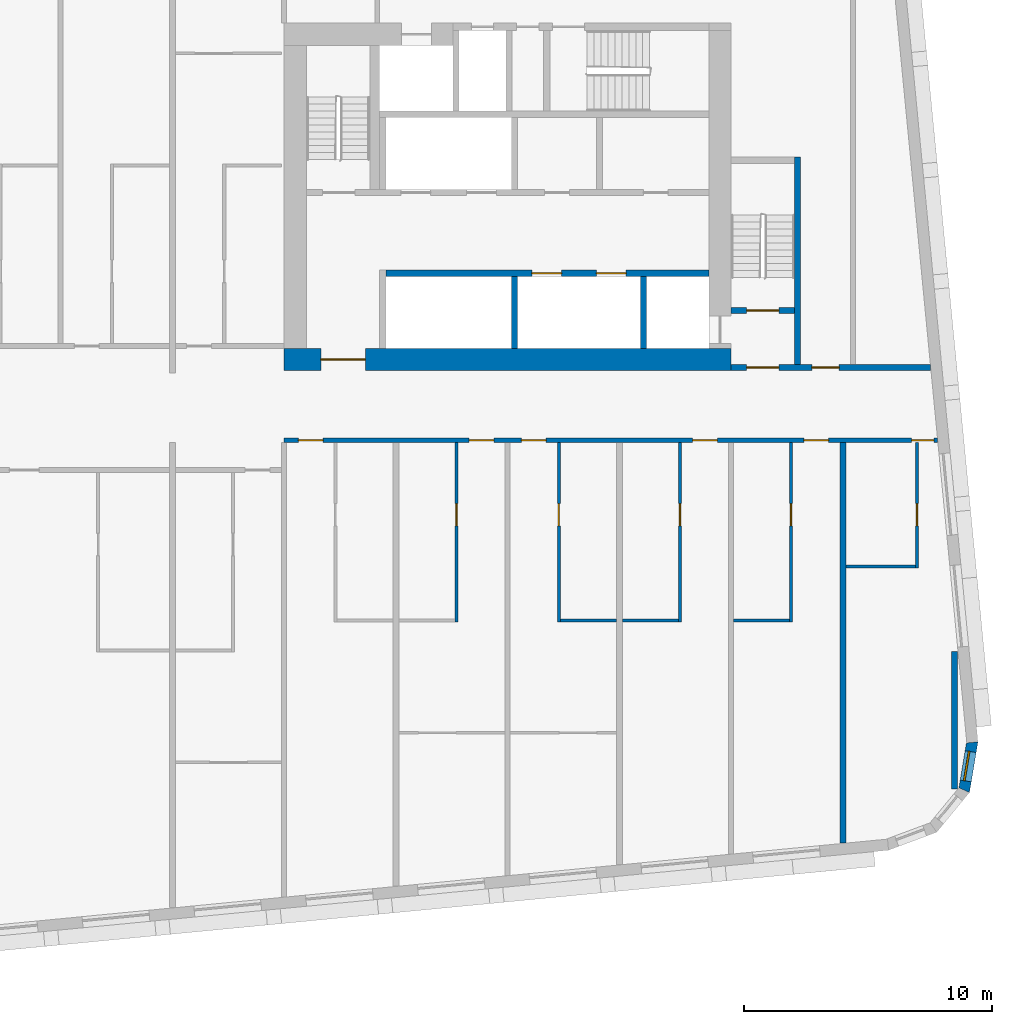
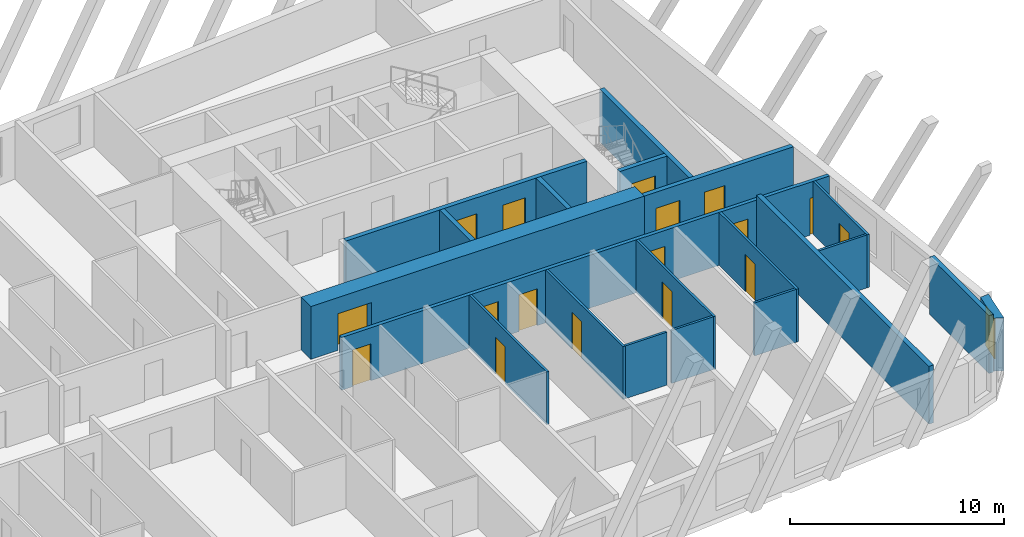
# One storey, part 7 of 13: 20 walls, 17 doors, 1 window, 18 openings.
"""IFC4 building model written with IfcOpenShell, lengths in metres."""

from ifc_helpers import new_model, si_unit, direction, frame, frame_2d, origin, place, context, subcontext, project, spatial, polyline, rectangle, outline, extrude, material, layer, layer_set, type_object, element, fill, save


model = new_model("IFC4")

# Units and contexts
model_context = context("Model", 3, precision=1e-05, world=origin(), true_north=direction((0.0, 1.0)))
body_context = subcontext(model_context, "Body", "Model", "MODEL_VIEW")
ifc_project = project(units=[si_unit("LENGTHUNIT", "METRE"), si_unit("AREAUNIT", "SQUARE_METRE"), si_unit("VOLUMEUNIT", "CUBIC_METRE"), si_unit("PLANEANGLEUNIT", "RADIAN"), si_unit("MASSUNIT", "GRAM", prefix="KILO")], contexts=[model_context])

# Site, building, storey
site_placement = place(None, origin())
site = spatial("IfcSite", under=ifc_project, at=site_placement, CompositionType="ELEMENT")
building_placement = place(site_placement, origin())
building = spatial("IfcBuilding", under=site, at=building_placement, Name="Kajstack Hotel Tower", CompositionType="ELEMENT")
storey_placement = place(building_placement, frame((0.0, 0.0, 196.60009765625)))
storey = spatial("IfcBuildingStorey", under=building, at=storey_placement, Name="L47", CompositionType="ELEMENT", Elevation=196.60009765625)

# Wall, opening, door
ifc_material_1 = material(Name="Concrete C60/75", Category="concrete")
ifc_layer_1 = layer(ifc_material_1, 0.89990234375)
ifc_layer_set_1 = layer_set([ifc_layer_1], Name="Core wall 900")
wall_type_1 = type_object("IfcWallType", Name="Core wall 900", PredefinedType="SHEAR", material=ifc_layer_set_1)
wall_1_placement = place(storey_placement, frame((13.5, 1.949951171875, 0.0), z_axis=(0.0, 0.0, 1.0), x_axis=(1.0, 0.0, 0.0)))
wall_1 = element("IfcWall", 1, at=wall_1_placement, inside=storey, type_object=wall_type_1, Name="Core wall E RN", PredefinedType="SHEAR", context=body_context, shape_type="SweptSolid", body=[
    extrude(rectangle(XDim=18.0, YDim=0.89990234375, at=frame_2d((9.0, 0.0))), origin(), (0.0, 0.0, 1.0), 3.02001953125),
])
opening_1_placement = place(wall_1_placement, frame((1.47509765625, 0.0, 0.0)))
opening_1 = element("IfcOpeningElement", 2, at=opening_1_placement, cuts=wall_1, Name="Opening 47E07", PredefinedType="OPENING", context=body_context, shape_type="SweptSolid", body=[
    extrude(rectangle(XDim=1.800048828125, YDim=2.10009765625, at=frame_2d((0.89990234375, 1.050048828125))), frame((0.0, 0.4599609375, 0.0), z_axis=(0.0, -1.0, 0.0), x_axis=(1.0, 0.0, 0.0)), (0.0, 0.0, 1.0), 0.919921875),
])
ifc_material_2 = material(Name="Glazed steel frame, fire-rated glass", Category="steel")
door_type_1 = type_object("IfcDoorType", Name="Lobby double door 1800", OperationType="DOUBLE_DOOR_DOUBLE_SWING", PredefinedType="DOOR", material=ifc_material_2)
door_1_placement = place(opening_1_placement, origin())
door_1 = element("IfcDoor", 3, at=door_1_placement, inside=storey, type_object=door_type_1, Name="Door 47E07", OperationType="DOUBLE_DOOR_DOUBLE_SWING", OverallHeight=2.10009765625, OverallWidth=1.800048828125, PredefinedType="DOOR", context=body_context, shape_type="SweptSolid", body=[
    extrude(rectangle(XDim=1.800048828125, YDim=2.10009765625, at=frame_2d((0.89990234375, 1.050048828125))), frame((0.0, 0.02490234375, 0.0), z_axis=(0.0, -1.0, 0.0), x_axis=(1.0, 0.0, 0.0)), (0.0, 0.0, 1.0), 0.050048828125),
])
fill(opening_1, door_1)

# Wall, openings, doors
ifc_material_3 = material(Name="Gypsum board on steel studs, mineral wool", Category="steel")
ifc_layer_2 = layer(ifc_material_3, 0.199951171875)
ifc_layer_set_2 = layer_set([ifc_layer_2], Name="Corridor wall 200")
wall_type_2 = type_object("IfcWallType", Name="Corridor wall 200", PredefinedType="PARTITIONING", material=ifc_layer_set_2)
wall_2_placement = place(storey_placement, frame((13.5, -1.300048828125, 0.0), z_axis=(0.0, 0.0, 1.0), x_axis=(1.0, 0.0, 0.0)))
wall_2 = element("IfcWall", 4, at=wall_2_placement, inside=storey, type_object=wall_type_2, Name="G-wall-L47-027", PredefinedType="PARTITIONING", context=body_context, shape_type="SweptSolid", body=[
    extrude(rectangle(XDim=26.31689453125, YDim=0.199951171875, at=frame_2d((13.158447265625, 0.0))), origin(), (0.0, 0.0, 1.0), 3.02001953125),
])
opening_2_placement = place(wall_2_placement, frame((0.574951171875, 0.0, 0.0)))
opening_2 = element("IfcOpeningElement", 5, at=opening_2_placement, cuts=wall_2, Name="Opening 47031", PredefinedType="OPENING", context=body_context, shape_type="SweptSolid", body=[
    extrude(rectangle(XDim=1.0, YDim=2.10009765625, at=frame_2d((0.5, 1.050048828125))), frame((0.0, 0.10986328125, 0.0), z_axis=(0.0, -1.0, 0.0), x_axis=(1.0, 0.0, 0.0)), (0.0, 0.0, 1.0), 0.219970703125),
])
opening_3_placement = place(wall_2_placement, frame((7.449951171875, 0.0, 0.0)))
opening_3 = element("IfcOpeningElement", 6, at=opening_3_placement, cuts=wall_2, Name="Opening 47033", PredefinedType="OPENING", context=body_context, shape_type="SweptSolid", body=[
    extrude(rectangle(XDim=1.0, YDim=2.10009765625, at=frame_2d((0.5, 1.050048828125))), frame((0.0, 0.10986328125, 0.0), z_axis=(0.0, -1.0, 0.0), x_axis=(1.0, 0.0, 0.0)), (0.0, 0.0, 1.0), 0.219970703125),
])
opening_4_placement = place(wall_2_placement, frame((9.550048828125, 0.0, 0.0)))
opening_4 = element("IfcOpeningElement", 7, at=opening_4_placement, cuts=wall_2, Name="Opening 47036", PredefinedType="OPENING", context=body_context, shape_type="SweptSolid", body=[
    extrude(rectangle(XDim=1.0, YDim=2.10009765625, at=frame_2d((0.5, 1.050048828125))), frame((0.0, 0.10986328125, 0.0), z_axis=(0.0, -1.0, 0.0), x_axis=(1.0, 0.0, 0.0)), (0.0, 0.0, 1.0), 0.219970703125),
])
opening_5_placement = place(wall_2_placement, frame((16.449951171875, 0.0, 0.0)))
opening_5 = element("IfcOpeningElement", 8, at=opening_5_placement, cuts=wall_2, Name="Opening 47039", PredefinedType="OPENING", context=body_context, shape_type="SweptSolid", body=[
    extrude(rectangle(XDim=1.0, YDim=2.10009765625, at=frame_2d((0.5, 1.050048828125))), frame((0.0, 0.10986328125, 0.0), z_axis=(0.0, -1.0, 0.0), x_axis=(1.0, 0.0, 0.0)), (0.0, 0.0, 1.0), 0.219970703125),
])
opening_6_placement = place(wall_2_placement, frame((20.925048828125, 0.0, 0.0)))
opening_6 = element("IfcOpeningElement", 9, at=opening_6_placement, cuts=wall_2, Name="Opening 47041", PredefinedType="OPENING", context=body_context, shape_type="SweptSolid", body=[
    extrude(rectangle(XDim=1.0, YDim=2.10009765625, at=frame_2d((0.5, 1.050048828125))), frame((0.0, 0.10986328125, 0.0), z_axis=(0.0, -1.0, 0.0), x_axis=(1.0, 0.0, 0.0)), (0.0, 0.0, 1.0), 0.219970703125),
])
opening_7_placement = place(wall_2_placement, frame((25.26708984375, 0.0, 0.0)))
opening_7 = element("IfcOpeningElement", 10, at=opening_7_placement, cuts=wall_2, Name="Opening 47043", PredefinedType="OPENING", context=body_context, shape_type="SweptSolid", body=[
    extrude(rectangle(XDim=0.89990234375, YDim=2.10009765625, at=frame_2d((0.449951171875, 1.050048828125))), frame((0.0, 0.10986328125, 0.0), z_axis=(0.0, -1.0, 0.0), x_axis=(1.0, 0.0, 0.0)), (0.0, 0.0, 1.0), 0.219970703125),
])
ifc_material_4 = material(Name="Oak veneer on timber core, fire-rated leaf", Category="wood")
door_type_2 = type_object("IfcDoorType", Name="Flat entrance door 1000", OperationType="SINGLE_SWING_LEFT", PredefinedType="DOOR", material=ifc_material_4)
door_2_placement = place(opening_2_placement, origin())
door_2 = element("IfcDoor", 11, at=door_2_placement, inside=storey, type_object=door_type_2, Name="G-door-L47-31", OperationType="SINGLE_SWING_RIGHT", OverallHeight=2.10009765625, OverallWidth=1.0, PredefinedType="DOOR", context=body_context, shape_type="SweptSolid", body=[
    extrude(rectangle(XDim=1.0, YDim=2.10009765625, at=frame_2d((0.5, 1.050048828125))), frame((0.0, 0.02490234375, 0.0), z_axis=(0.0, -1.0, 0.0), x_axis=(1.0, 0.0, 0.0)), (0.0, 0.0, 1.0), 0.050048828125),
])
fill(opening_2, door_2)
door_3_placement = place(opening_3_placement, origin())
door_3 = element("IfcDoor", 12, at=door_3_placement, inside=storey, type_object=door_type_2, Name="G-door-L47-33", OperationType="SINGLE_SWING_LEFT", OverallHeight=2.10009765625, OverallWidth=1.0, PredefinedType="DOOR", context=body_context, shape_type="SweptSolid", body=[
    extrude(rectangle(XDim=1.0, YDim=2.10009765625, at=frame_2d((0.5, 1.050048828125))), frame((0.0, 0.02490234375, 0.0), z_axis=(0.0, -1.0, 0.0), x_axis=(1.0, 0.0, 0.0)), (0.0, 0.0, 1.0), 0.050048828125),
])
fill(opening_3, door_3)
door_4_placement = place(opening_4_placement, origin())
door_4 = element("IfcDoor", 13, at=door_4_placement, inside=storey, type_object=door_type_2, Name="G-door-L47-36", OperationType="SINGLE_SWING_LEFT", OverallHeight=2.10009765625, OverallWidth=1.0, PredefinedType="DOOR", context=body_context, shape_type="SweptSolid", body=[
    extrude(rectangle(XDim=1.0, YDim=2.10009765625, at=frame_2d((0.5, 1.050048828125))), frame((0.0, 0.02490234375, 0.0), z_axis=(0.0, -1.0, 0.0), x_axis=(1.0, 0.0, 0.0)), (0.0, 0.0, 1.0), 0.050048828125),
])
fill(opening_4, door_4)
door_5_placement = place(opening_5_placement, origin())
door_5 = element("IfcDoor", 14, at=door_5_placement, inside=storey, type_object=door_type_2, Name="G-door-L47-39", OperationType="SINGLE_SWING_LEFT", OverallHeight=2.10009765625, OverallWidth=1.0, PredefinedType="DOOR", context=body_context, shape_type="SweptSolid", body=[
    extrude(rectangle(XDim=1.0, YDim=2.10009765625, at=frame_2d((0.5, 1.050048828125))), frame((0.0, 0.02490234375, 0.0), z_axis=(0.0, -1.0, 0.0), x_axis=(1.0, 0.0, 0.0)), (0.0, 0.0, 1.0), 0.050048828125),
])
fill(opening_5, door_5)
door_6_placement = place(opening_6_placement, origin())
door_6 = element("IfcDoor", 15, at=door_6_placement, inside=storey, type_object=door_type_2, Name="G-door-L47-41", OperationType="SINGLE_SWING_RIGHT", OverallHeight=2.10009765625, OverallWidth=1.0, PredefinedType="DOOR", context=body_context, shape_type="SweptSolid", body=[
    extrude(rectangle(XDim=1.0, YDim=2.10009765625, at=frame_2d((0.5, 1.050048828125))), frame((0.0, 0.02490234375, 0.0), z_axis=(0.0, -1.0, 0.0), x_axis=(1.0, 0.0, 0.0)), (0.0, 0.0, 1.0), 0.050048828125),
])
fill(opening_6, door_6)
ifc_material_5 = material(Name="Painted timber door leaf", Category="wood")
door_type_3 = type_object("IfcDoorType", Name="Room door 900", OperationType="SINGLE_SWING_LEFT", PredefinedType="DOOR", material=ifc_material_5)
door_7_placement = place(opening_7_placement, origin())
door_7 = element("IfcDoor", 16, at=door_7_placement, inside=storey, type_object=door_type_3, Name="G-door-L47-43", OperationType="SINGLE_SWING_LEFT", OverallHeight=2.10009765625, OverallWidth=0.89990234375, PredefinedType="DOOR", context=body_context, shape_type="SweptSolid", body=[
    extrude(rectangle(XDim=0.89990234375, YDim=2.10009765625, at=frame_2d((0.449951171875, 1.050048828125))), frame((0.0, 0.02490234375, 0.0), z_axis=(0.0, -1.0, 0.0), x_axis=(1.0, 0.0, 0.0)), (0.0, 0.0, 1.0), 0.050048828125),
])
fill(opening_7, door_7)

# Wall, opening, window
ifc_material_6 = material(Name="Terracotta-faced brick masonry", Category="masonry")
ifc_layer_3 = layer(ifc_material_6, 0.449951171875)
ifc_layer_set_3 = layer_set([ifc_layer_3], Name="EW-TERRA")
wall_type_3 = type_object("IfcWallType", Name="EW-TERRA", PredefinedType="SOLIDWALL", material=ifc_layer_set_3)
wall_3_placement = place(storey_placement, frame((40.874755859375, -15.44921875, 0.0), z_axis=(0.0, 0.0, 1.0), x_axis=(0.164953448126, 0.986301353518, 0.0)))
wall_3 = element("IfcWall", 17, at=wall_3_placement, inside=storey, type_object=wall_type_3, Name="E-wall-L47-07-00", PredefinedType="SOLIDWALL", context=body_context, shape_type="SweptSolid", body=[
    extrude(outline(polyline([(0.0, -0.224853515625), (2.070556640625, -0.22509765625), (1.9501953125, 0.224853515625), (0.12060546875, 0.22509765625), (0.0, -0.224853515625)])), origin(), (0.0, 0.0, 1.0), 3.02001953125),
])
opening_8_placement = place(wall_3_placement, frame((0.435302734375, 0.0, 0.449951171875)))
opening_8 = element("IfcOpeningElement", 18, at=opening_8_placement, cuts=wall_3, Name="Opening W3", PredefinedType="OPENING", context=body_context, shape_type="SweptSolid", body=[
    extrude(rectangle(XDim=1.199951171875, YDim=2.25, at=frame_2d((0.60009765625, 1.125))), frame((0.0, 0.23486328125, 0.0), z_axis=(0.0, -1.0, 0.0), x_axis=(1.0, 0.0, 0.0)), (0.0, 0.0, 1.0), 0.469970703125),
])
ifc_material_7 = material(Name="Timber-aluminium window, triple glazed", Category="wood")
window_type = type_object("IfcWindowType", Name="WG3", PartitioningType="SINGLE_PANEL", PredefinedType="WINDOW", material=ifc_material_7)
window_placement = place(opening_8_placement, origin())
window = element("IfcWindow", 19, at=window_placement, inside=storey, type_object=window_type, Name="Window W3 L47-07", OverallHeight=2.25, OverallWidth=1.199951171875, PartitioningType="SINGLE_PANEL", PredefinedType="WINDOW", context=body_context, shape_type="SweptSolid", body=[
    extrude(rectangle(XDim=1.199951171875, YDim=2.25, at=frame_2d((0.60009765625, 1.125))), frame((0.0, 0.090087890625, 0.0), z_axis=(0.0, -1.0, 0.0), x_axis=(1.0, 0.0, 0.0)), (0.0, 0.0, 1.0), 0.06005859375),
])
fill(opening_8, window)

# Wall, opening, door
ifc_material_8 = material(Name="Gypsum board and tiled backer on steel studs", Category="steel")
ifc_layer_4 = layer(ifc_material_8, 0.125)
ifc_layer_set_4 = layer_set([ifc_layer_4], Name="En-suite wall 125")
wall_type_4 = type_object("IfcWallType", Name="En-suite wall 125", PredefinedType="PARTITIONING", material=ifc_layer_set_4)
wall_4_placement = place(storey_placement, frame((20.43798828125, -8.625, 0.0), z_axis=(0.0, 0.0, 1.0), x_axis=(0.0, 1.0, 0.0)))
wall_4 = element("IfcWall", 20, at=wall_4_placement, inside=storey, type_object=wall_type_4, Name="G-wall-L47-044", PredefinedType="PARTITIONING", context=body_context, shape_type="SweptSolid", body=[
    extrude(rectangle(XDim=7.22509765625, YDim=0.125, at=frame_2d((3.612548828125, 0.0))), origin(), (0.0, 0.0, 1.0), 3.02001953125),
])
opening_9_placement = place(wall_4_placement, frame((3.875, 0.0, 0.0)))
opening_9 = element("IfcOpeningElement", 21, at=opening_9_placement, cuts=wall_4, Name="Opening 47034", PredefinedType="OPENING", context=body_context, shape_type="SweptSolid", body=[
    extrude(rectangle(XDim=0.89990234375, YDim=2.10009765625, at=frame_2d((0.449951171875, 1.050048828125))), frame((0.0, 0.072509765625, 0.0), z_axis=(0.0, -1.0, 0.0), x_axis=(1.0, 0.0, 0.0)), (0.0, 0.0, 1.0), 0.14501953125),
])
door_8_placement = place(opening_9_placement, origin())
door_8 = element("IfcDoor", 22, at=door_8_placement, inside=storey, type_object=door_type_3, Name="G-door-L47-34", OperationType="SINGLE_SWING_RIGHT", OverallHeight=2.10009765625, OverallWidth=0.89990234375, PredefinedType="DOOR", context=body_context, shape_type="SweptSolid", body=[
    extrude(rectangle(XDim=0.89990234375, YDim=2.10009765625, at=frame_2d((0.449951171875, 1.050048828125))), frame((0.0, 0.02490234375, 0.0), z_axis=(0.0, -1.0, 0.0), x_axis=(1.0, 0.0, 0.0)), (0.0, 0.0, 1.0), 0.050048828125),
])
fill(opening_9, door_8)

wall_5_placement = place(storey_placement, frame((24.56201171875, -8.625, 0.0), z_axis=(0.0, 0.0, 1.0), x_axis=(0.0, 1.0, 0.0)))
wall_5 = element("IfcWall", 23, at=wall_5_placement, inside=storey, type_object=wall_type_4, Name="G-wall-L47-047", PredefinedType="PARTITIONING", context=body_context, shape_type="SweptSolid", body=[
    extrude(rectangle(XDim=7.22509765625, YDim=0.125, at=frame_2d((3.612548828125, 0.0))), origin(), (0.0, 0.0, 1.0), 3.02001953125),
])
opening_10_placement = place(wall_5_placement, frame((3.875, 0.0, 0.0)))
opening_10 = element("IfcOpeningElement", 24, at=opening_10_placement, cuts=wall_5, Name="Opening 47037", PredefinedType="OPENING", context=body_context, shape_type="SweptSolid", body=[
    extrude(rectangle(XDim=0.89990234375, YDim=2.10009765625, at=frame_2d((0.449951171875, 1.050048828125))), frame((0.0, 0.072509765625, 0.0), z_axis=(0.0, -1.0, 0.0), x_axis=(1.0, 0.0, 0.0)), (0.0, 0.0, 1.0), 0.14501953125),
])
door_9_placement = place(opening_10_placement, origin())
door_9 = element("IfcDoor", 25, at=door_9_placement, inside=storey, type_object=door_type_3, Name="G-door-L47-37", OperationType="SINGLE_SWING_LEFT", OverallHeight=2.10009765625, OverallWidth=0.89990234375, PredefinedType="DOOR", context=body_context, shape_type="SweptSolid", body=[
    extrude(rectangle(XDim=0.89990234375, YDim=2.10009765625, at=frame_2d((0.449951171875, 1.050048828125))), frame((0.0, 0.02490234375, 0.0), z_axis=(0.0, -1.0, 0.0), x_axis=(1.0, 0.0, 0.0)), (0.0, 0.0, 1.0), 0.050048828125),
])
fill(opening_10, door_9)

# Wall
wall_6_placement = place(storey_placement, frame((24.625, -8.56201171875, 0.0), z_axis=(0.0, 0.0, 1.0), x_axis=(1.0, 0.0, 0.0)))
element("IfcWall", 26, at=wall_6_placement, inside=storey, type_object=wall_type_4, Name="G-wall-L47-048", PredefinedType="PARTITIONING", context=body_context, shape_type="SweptSolid", body=[
    extrude(rectangle(XDim=2.25, YDim=0.125, at=frame_2d((1.125, 0.0))), origin(), (0.0, 0.0, 1.0), 3.02001953125),
])

# Wall, opening, door
wall_7_placement = place(storey_placement, frame((29.43798828125, -8.625, 0.0), z_axis=(0.0, 0.0, 1.0), x_axis=(0.0, 1.0, 0.0)))
wall_7 = element("IfcWall", 27, at=wall_7_placement, inside=storey, type_object=wall_type_4, Name="G-wall-L47-051", PredefinedType="PARTITIONING", context=body_context, shape_type="SweptSolid", body=[
    extrude(rectangle(XDim=7.22509765625, YDim=0.125, at=frame_2d((3.612548828125, 0.0))), origin(), (0.0, 0.0, 1.0), 3.02001953125),
])
opening_11_placement = place(wall_7_placement, frame((3.875, 0.0, 0.0)))
opening_11 = element("IfcOpeningElement", 28, at=opening_11_placement, cuts=wall_7, Name="Opening 47040", PredefinedType="OPENING", context=body_context, shape_type="SweptSolid", body=[
    extrude(rectangle(XDim=0.89990234375, YDim=2.10009765625, at=frame_2d((0.449951171875, 1.050048828125))), frame((0.0, 0.072509765625, 0.0), z_axis=(0.0, -1.0, 0.0), x_axis=(1.0, 0.0, 0.0)), (0.0, 0.0, 1.0), 0.14501953125),
])
door_10_placement = place(opening_11_placement, origin())
door_10 = element("IfcDoor", 29, at=door_10_placement, inside=storey, type_object=door_type_3, Name="G-door-L47-40", OperationType="SINGLE_SWING_RIGHT", OverallHeight=2.10009765625, OverallWidth=0.89990234375, PredefinedType="DOOR", context=body_context, shape_type="SweptSolid", body=[
    extrude(rectangle(XDim=0.89990234375, YDim=2.10009765625, at=frame_2d((0.449951171875, 1.050048828125))), frame((0.0, 0.02490234375, 0.0), z_axis=(0.0, -1.0, 0.0), x_axis=(1.0, 0.0, 0.0)), (0.0, 0.0, 1.0), 0.050048828125),
])
fill(opening_11, door_10)

# Wall
wall_8_placement = place(storey_placement, frame((27.125, -8.56201171875, 0.0), z_axis=(0.0, 0.0, 1.0), x_axis=(1.0, 0.0, 0.0)))
element("IfcWall", 30, at=wall_8_placement, inside=storey, type_object=wall_type_4, Name="G-wall-L47-052", PredefinedType="PARTITIONING", context=body_context, shape_type="SweptSolid", body=[
    extrude(rectangle(XDim=2.25, YDim=0.125, at=frame_2d((1.125, 0.0))), origin(), (0.0, 0.0, 1.0), 3.02001953125),
])

# Wall, opening, door
wall_9_placement = place(storey_placement, frame((33.9130859375, -8.625, 0.0), z_axis=(0.0, 0.0, 1.0), x_axis=(0.0, 1.0, 0.0)))
wall_9 = element("IfcWall", 31, at=wall_9_placement, inside=storey, type_object=wall_type_4, Name="G-wall-L47-053", PredefinedType="PARTITIONING", context=body_context, shape_type="SweptSolid", body=[
    extrude(rectangle(XDim=7.22509765625, YDim=0.125, at=frame_2d((3.612548828125, 0.0))), origin(), (0.0, 0.0, 1.0), 3.02001953125),
])
opening_12_placement = place(wall_9_placement, frame((3.875, 0.0, 0.0)))
opening_12 = element("IfcOpeningElement", 32, at=opening_12_placement, cuts=wall_9, Name="Opening 47042", PredefinedType="OPENING", context=body_context, shape_type="SweptSolid", body=[
    extrude(rectangle(XDim=0.89990234375, YDim=2.10009765625, at=frame_2d((0.449951171875, 1.050048828125))), frame((0.0, 0.072509765625, 0.0), z_axis=(0.0, -1.0, 0.0), x_axis=(1.0, 0.0, 0.0)), (0.0, 0.0, 1.0), 0.14501953125),
])
door_11_placement = place(opening_12_placement, origin())
door_11 = element("IfcDoor", 33, at=door_11_placement, inside=storey, type_object=door_type_3, Name="G-door-L47-42", OperationType="SINGLE_SWING_LEFT", OverallHeight=2.10009765625, OverallWidth=0.89990234375, PredefinedType="DOOR", context=body_context, shape_type="SweptSolid", body=[
    extrude(rectangle(XDim=0.89990234375, YDim=2.10009765625, at=frame_2d((0.449951171875, 1.050048828125))), frame((0.0, 0.02490234375, 0.0), z_axis=(0.0, -1.0, 0.0), x_axis=(1.0, 0.0, 0.0)), (0.0, 0.0, 1.0), 0.050048828125),
])
fill(opening_12, door_11)

# Wall
wall_10_placement = place(storey_placement, frame((31.60009765625, -8.56201171875, 0.0), z_axis=(0.0, 0.0, 1.0), x_axis=(1.0, 0.0, 0.0)))
element("IfcWall", 34, at=wall_10_placement, inside=storey, type_object=wall_type_4, Name="G-wall-L47-054", PredefinedType="PARTITIONING", context=body_context, shape_type="SweptSolid", body=[
    extrude(rectangle(XDim=2.25, YDim=0.125, at=frame_2d((1.125, 0.0))), origin(), (0.0, 0.0, 1.0), 3.02001953125),
])

# Wall, opening, door
wall_11_placement = place(storey_placement, frame((38.987060546875, -6.445068359375, 0.0), z_axis=(0.0, 0.0, 1.0), x_axis=(0.0, 1.0, 0.0)))
wall_11 = element("IfcWall", 35, at=wall_11_placement, inside=storey, type_object=wall_type_4, Name="G-wall-L47-055", PredefinedType="PARTITIONING", context=body_context, shape_type="SweptSolid", body=[
    extrude(rectangle(XDim=5.045166015625, YDim=0.125, at=frame_2d((2.5224609375, 0.0))), origin(), (0.0, 0.0, 1.0), 3.02001953125),
])
opening_13_placement = place(wall_11_placement, frame((1.695068359375, 0.0, 0.0)))
opening_13 = element("IfcOpeningElement", 36, at=opening_13_placement, cuts=wall_11, Name="Opening 47044", PredefinedType="OPENING", context=body_context, shape_type="SweptSolid", body=[
    extrude(rectangle(XDim=0.89990234375, YDim=2.10009765625, at=frame_2d((0.449951171875, 1.050048828125))), frame((0.0, 0.072509765625, 0.0), z_axis=(0.0, -1.0, 0.0), x_axis=(1.0, 0.0, 0.0)), (0.0, 0.0, 1.0), 0.14501953125),
])
door_12_placement = place(opening_13_placement, origin())
door_12 = element("IfcDoor", 37, at=door_12_placement, inside=storey, type_object=door_type_3, Name="G-door-L47-44", OperationType="SINGLE_SWING_RIGHT", OverallHeight=2.10009765625, OverallWidth=0.89990234375, PredefinedType="DOOR", context=body_context, shape_type="SweptSolid", body=[
    extrude(rectangle(XDim=0.89990234375, YDim=2.10009765625, at=frame_2d((0.449951171875, 1.050048828125))), frame((0.0, 0.02490234375, 0.0), z_axis=(0.0, -1.0, 0.0), x_axis=(1.0, 0.0, 0.0)), (0.0, 0.0, 1.0), 0.050048828125),
])
fill(opening_13, door_12)

# Walls
wall_12_placement = place(storey_placement, frame((36.125, -6.382080078125, 0.0), z_axis=(0.0, 0.0, 1.0), x_axis=(1.0, 0.0, 0.0)))
element("IfcWall", 38, at=wall_12_placement, inside=storey, type_object=wall_type_4, Name="G-wall-L47-056", PredefinedType="PARTITIONING", context=body_context, shape_type="SweptSolid", body=[
    extrude(rectangle(XDim=2.800048828125, YDim=0.125, at=frame_2d((1.39990234375, 0.0))), origin(), (0.0, 0.0, 1.0), 3.02001953125),
])
ifc_material_9 = material(Name="Concrete C50/60", Category="concrete")
ifc_layer_5 = layer(ifc_material_9, 0.300048828125)
ifc_layer_set_5 = layer_set([ifc_layer_5], Name="Hoistway divider wall 300")
wall_type_5 = type_object("IfcWallType", Name="Hoistway divider wall 300", PredefinedType="SHEAR", material=ifc_layer_set_5)
wall_13_placement = place(storey_placement, frame((22.77490234375, 2.39990234375, 0.0), z_axis=(0.0, 0.0, 1.0), x_axis=(0.0, 1.0, 0.0)))
element("IfcWall", 39, at=wall_13_placement, inside=storey, type_object=wall_type_5, Name="Core wall E AP2", PredefinedType="SHEAR", context=body_context, shape_type="SweptSolid", body=[
    extrude(rectangle(XDim=2.900146484375, YDim=0.25, at=frame_2d((1.4501953125, 0.0))), origin(), (0.0, 0.0, 1.0), 3.02001953125),
])
ifc_layer_6 = layer(ifc_material_9, 0.25)
ifc_layer_set_6 = layer_set([ifc_layer_6], Name="RC cross wall 250 C50/60")
wall_type_6 = type_object("IfcWallType", Name="RC cross wall 250 C50/60", PredefinedType="SHEAR", material=ifc_layer_set_6)
wall_14_placement = place(storey_placement, frame((36.0, -17.51220703125, 0.0), z_axis=(0.0, 0.0, 1.0), x_axis=(0.0, 1.0, 0.0)))
element("IfcWall", 40, at=wall_14_placement, inside=storey, type_object=wall_type_6, Name="S-wall-L47-12", PredefinedType="SHEAR", context=body_context, shape_type="SweptSolid", body=[
    extrude(rectangle(XDim=16.1123046875, YDim=0.25, at=frame_2d((8.05615234375, 0.0))), origin(), (0.0, 0.0, 1.0), 3.2998046875),
])
wall_15_placement = place(storey_placement, frame((40.5, -15.335205078125, 0.0), z_axis=(0.0, 0.0, 1.0), x_axis=(0.0, 1.0, 0.0)))
element("IfcWall", 41, at=wall_15_placement, inside=storey, type_object=wall_type_6, Name="S-wall-L47-13", PredefinedType="SHEAR", context=body_context, shape_type="SweptSolid", body=[
    extrude(rectangle(XDim=5.5380859375, YDim=0.25, at=frame_2d((2.76904296875, 0.0))), origin(), (0.0, 0.0, 1.0), 3.2998046875),
])

# Wall, openings, doors
ifc_layer_7 = layer(ifc_material_3, 0.199951171875)
ifc_layer_set_7 = layer_set([ifc_layer_7], Name="Service partition 200")
wall_type_7 = type_object("IfcWallType", Name="Service partition 200", PredefinedType="PARTITIONING", material=ifc_layer_set_7)
wall_16_placement = place(storey_placement, frame((31.5, 1.625, 0.0), z_axis=(0.0, 0.0, 1.0), x_axis=(1.0, 0.0, 0.0)))
wall_16 = element("IfcWall", 42, at=wall_16_placement, inside=storey, type_object=wall_type_7, Name="Partition E SN", PredefinedType="PARTITIONING", context=body_context, shape_type="SweptSolid", body=[
    extrude(rectangle(XDim=8.035400390625, YDim=0.25, at=frame_2d((4.017578125, 0.0))), origin(), (0.0, 0.0, 1.0), 3.02001953125),
])
opening_14_placement = place(wall_16_placement, frame((0.625, 0.0, 0.0)))
opening_14 = element("IfcOpeningElement", 43, at=opening_14_placement, cuts=wall_16, Name="Opening 47E08", PredefinedType="OPENING", context=body_context, shape_type="SweptSolid", body=[
    extrude(rectangle(XDim=1.300048828125, YDim=2.10009765625, at=frame_2d((0.64990234375, 1.050048828125))), frame((0.0, 0.135009765625, 0.0), z_axis=(0.0, -1.0, 0.0), x_axis=(1.0, 0.0, 0.0)), (0.0, 0.0, 1.0), 0.27001953125),
])
opening_15_placement = place(wall_16_placement, frame((3.25, 0.0, 0.0)))
opening_15 = element("IfcOpeningElement", 44, at=opening_15_placement, cuts=wall_16, Name="Opening 47E10", PredefinedType="OPENING", context=body_context, shape_type="SweptSolid", body=[
    extrude(rectangle(XDim=1.10009765625, YDim=2.10009765625, at=frame_2d((0.550048828125, 1.050048828125))), frame((0.0, 0.135009765625, 0.0), z_axis=(0.0, -1.0, 0.0), x_axis=(1.0, 0.0, 0.0)), (0.0, 0.0, 1.0), 0.27001953125),
])
ifc_material_10 = material(Name="Steel leaf, fire-rated", Category="steel")
door_type_4 = type_object("IfcDoorType", Name="Fire lobby door 1300", OperationType="SINGLE_SWING_LEFT", PredefinedType="DOOR", material=ifc_material_10)
door_13_placement = place(opening_14_placement, origin())
door_13 = element("IfcDoor", 45, at=door_13_placement, inside=storey, type_object=door_type_4, Name="Door 47E08", OperationType="SINGLE_SWING_LEFT", OverallHeight=2.10009765625, OverallWidth=1.300048828125, PredefinedType="DOOR", context=body_context, shape_type="SweptSolid", body=[
    extrude(rectangle(XDim=1.300048828125, YDim=2.10009765625, at=frame_2d((0.64990234375, 1.050048828125))), frame((0.0, 0.02490234375, 0.0), z_axis=(0.0, -1.0, 0.0), x_axis=(1.0, 0.0, 0.0)), (0.0, 0.0, 1.0), 0.050048828125),
])
fill(opening_14, door_13)
ifc_material_11 = material(Name="Timber leaf, fire-rated", Category="wood")
door_type_5 = type_object("IfcDoorType", Name="Service corridor door 1100", OperationType="SINGLE_SWING_LEFT", PredefinedType="DOOR", material=ifc_material_11)
door_14_placement = place(opening_15_placement, origin())
door_14 = element("IfcDoor", 46, at=door_14_placement, inside=storey, type_object=door_type_5, Name="Door 47E10", OperationType="SINGLE_SWING_LEFT", OverallHeight=2.10009765625, OverallWidth=1.10009765625, PredefinedType="DOOR", context=body_context, shape_type="SweptSolid", body=[
    extrude(rectangle(XDim=1.10009765625, YDim=2.10009765625, at=frame_2d((0.550048828125, 1.050048828125))), frame((0.0, 0.02490234375, 0.0), z_axis=(0.0, -1.0, 0.0), x_axis=(1.0, 0.0, 0.0)), (0.0, 0.0, 1.0), 0.050048828125),
])
fill(opening_15, door_14)

ifc_layer_8 = layer(ifc_material_9, 0.25)
ifc_layer_set_8 = layer_set([ifc_layer_8], Name="Shaft wall 250")
wall_type_8 = type_object("IfcWallType", Name="Shaft wall 250", PredefinedType="SHEAR", material=ifc_layer_set_8)
wall_17_placement = place(storey_placement, frame((17.60009765625, 5.425048828125, 0.0), z_axis=(0.0, 0.0, 1.0), x_axis=(1.0, 0.0, 0.0)))
wall_17 = element("IfcWall", 47, at=wall_17_placement, inside=storey, type_object=wall_type_8, Name="Core wall E FA", PredefinedType="SHEAR", context=body_context, shape_type="SweptSolid", body=[
    extrude(rectangle(XDim=13.0, YDim=0.25, at=frame_2d((6.5, 0.0))), origin(), (0.0, 0.0, 1.0), 3.02001953125),
])
opening_16_placement = place(wall_17_placement, frame((8.47509765625, 0.0, 0.0)))
opening_16 = element("IfcOpeningElement", 48, at=opening_16_placement, cuts=wall_17, Name="Opening LD-MR7", PredefinedType="OPENING", context=body_context, shape_type="SweptSolid", body=[
    extrude(rectangle(XDim=1.199951171875, YDim=2.10009765625, at=frame_2d((0.60009765625, 1.050048828125))), frame((0.0, 0.135009765625, 0.0), z_axis=(0.0, -1.0, 0.0), x_axis=(1.0, 0.0, 0.0)), (0.0, 0.0, 1.0), 0.27001953125),
])
opening_17_placement = place(wall_17_placement, frame((5.875, 0.0, 0.0)))
opening_17 = element("IfcOpeningElement", 49, at=opening_17_placement, cuts=wall_17, Name="Opening LD-MR8", PredefinedType="OPENING", context=body_context, shape_type="SweptSolid", body=[
    extrude(rectangle(XDim=1.199951171875, YDim=2.10009765625, at=frame_2d((0.60009765625, 1.050048828125))), frame((0.0, 0.135009765625, 0.0), z_axis=(0.0, -1.0, 0.0), x_axis=(1.0, 0.0, 0.0)), (0.0, 0.0, 1.0), 0.27001953125),
])
ifc_material_12 = material(Name="Stainless steel", Category="steel")
door_type_6 = type_object("IfcDoorType", Name="Lift landing door 1200", OperationType="SLIDING_TO_LEFT", PredefinedType="DOOR", material=ifc_material_12)
door_15_placement = place(opening_16_placement, origin())
door_15 = element("IfcDoor", 50, at=door_15_placement, inside=storey, type_object=door_type_6, Name="Landing door MR7", OperationType="SLIDING_TO_LEFT", OverallHeight=2.10009765625, OverallWidth=1.199951171875, PredefinedType="DOOR", context=body_context, shape_type="SweptSolid", body=[
    extrude(rectangle(XDim=1.199951171875, YDim=2.10009765625, at=frame_2d((0.60009765625, 1.050048828125))), frame((0.0, 0.02490234375, 0.0), z_axis=(0.0, -1.0, 0.0), x_axis=(1.0, 0.0, 0.0)), (0.0, 0.0, 1.0), 0.050048828125),
])
fill(opening_16, door_15)
door_16_placement = place(opening_17_placement, origin())
door_16 = element("IfcDoor", 51, at=door_16_placement, inside=storey, type_object=door_type_6, Name="Landing door MR8", OperationType="SLIDING_TO_RIGHT", OverallHeight=2.10009765625, OverallWidth=1.199951171875, PredefinedType="DOOR", context=body_context, shape_type="SweptSolid", body=[
    extrude(rectangle(XDim=1.199951171875, YDim=2.10009765625, at=frame_2d((0.60009765625, 1.050048828125))), frame((0.0, 0.02490234375, 0.0), z_axis=(0.0, -1.0, 0.0), x_axis=(1.0, 0.0, 0.0)), (0.0, 0.0, 1.0), 0.050048828125),
])
fill(opening_17, door_16)

# Wall
wall_18_placement = place(storey_placement, frame((27.97509765625, 2.39990234375, 0.0), z_axis=(0.0, 0.0, 1.0), x_axis=(0.0, 1.0, 0.0)))
element("IfcWall", 52, at=wall_18_placement, inside=storey, type_object=wall_type_8, Name="Core wall E AP0", PredefinedType="SHEAR", context=body_context, shape_type="SweptSolid", body=[
    extrude(rectangle(XDim=2.900146484375, YDim=0.25, at=frame_2d((1.4501953125, 0.0))), origin(), (0.0, 0.0, 1.0), 3.02001953125),
])

# Wall, opening, door
ifc_material_13 = material(Name="Concrete C40/50", Category="concrete")
ifc_layer_9 = layer(ifc_material_13, 0.25)
ifc_layer_set_9 = layer_set([ifc_layer_9], Name="Stair enclosure wall 250")
wall_type_9 = type_object("IfcWallType", Name="Stair enclosure wall 250", PredefinedType="SHEAR", material=ifc_layer_set_9)
wall_19_placement = place(storey_placement, frame((31.5, 3.925048828125, 0.0), z_axis=(0.0, 0.0, 1.0), x_axis=(1.0, 0.0, 0.0)))
wall_19 = element("IfcWall", 53, at=wall_19_placement, inside=storey, type_object=wall_type_9, Name="Core wall E W1N", PredefinedType="SHEAR", context=body_context, shape_type="SweptSolid", body=[
    extrude(rectangle(XDim=2.550048828125, YDim=0.25, at=frame_2d((1.27490234375, 0.0))), origin(), (0.0, 0.0, 1.0), 3.02001953125),
])
opening_18_placement = place(wall_19_placement, frame((0.625, 0.0, 0.0)))
opening_18 = element("IfcOpeningElement", 54, at=opening_18_placement, cuts=wall_19, Name="Opening 47E09", PredefinedType="OPENING", context=body_context, shape_type="SweptSolid", body=[
    extrude(rectangle(XDim=1.300048828125, YDim=2.10009765625, at=frame_2d((0.64990234375, 1.050048828125))), frame((0.0, 0.135009765625, 0.0), z_axis=(0.0, -1.0, 0.0), x_axis=(1.0, 0.0, 0.0)), (0.0, 0.0, 1.0), 0.27001953125),
])
door_type_7 = type_object("IfcDoorType", Name="Stair door 1300", OperationType="SINGLE_SWING_LEFT", PredefinedType="DOOR", material=ifc_material_10)
door_17_placement = place(opening_18_placement, origin())
door_17 = element("IfcDoor", 55, at=door_17_placement, inside=storey, type_object=door_type_7, Name="Door 47E09", OperationType="SINGLE_SWING_LEFT", OverallHeight=2.10009765625, OverallWidth=1.300048828125, PredefinedType="DOOR", context=body_context, shape_type="SweptSolid", body=[
    extrude(rectangle(XDim=1.300048828125, YDim=2.10009765625, at=frame_2d((0.64990234375, 1.050048828125))), frame((0.0, 0.02490234375, 0.0), z_axis=(0.0, -1.0, 0.0), x_axis=(1.0, 0.0, 0.0)), (0.0, 0.0, 1.0), 0.050048828125),
])
fill(opening_18, door_17)

# Wall
wall_20_placement = place(storey_placement, frame((34.175048828125, 1.75, 0.0), z_axis=(0.0, 0.0, 1.0), x_axis=(0.0, 1.0, 0.0)))
element("IfcWall", 56, at=wall_20_placement, inside=storey, type_object=wall_type_9, Name="Core wall E W1W", PredefinedType="SHEAR", context=body_context, shape_type="SweptSolid", body=[
    extrude(rectangle(XDim=8.35009765625, YDim=0.25, at=frame_2d((4.175048828125, 0.0))), origin(), (0.0, 0.0, 1.0), 3.02001953125),
])

save(model, "model.ifc")
